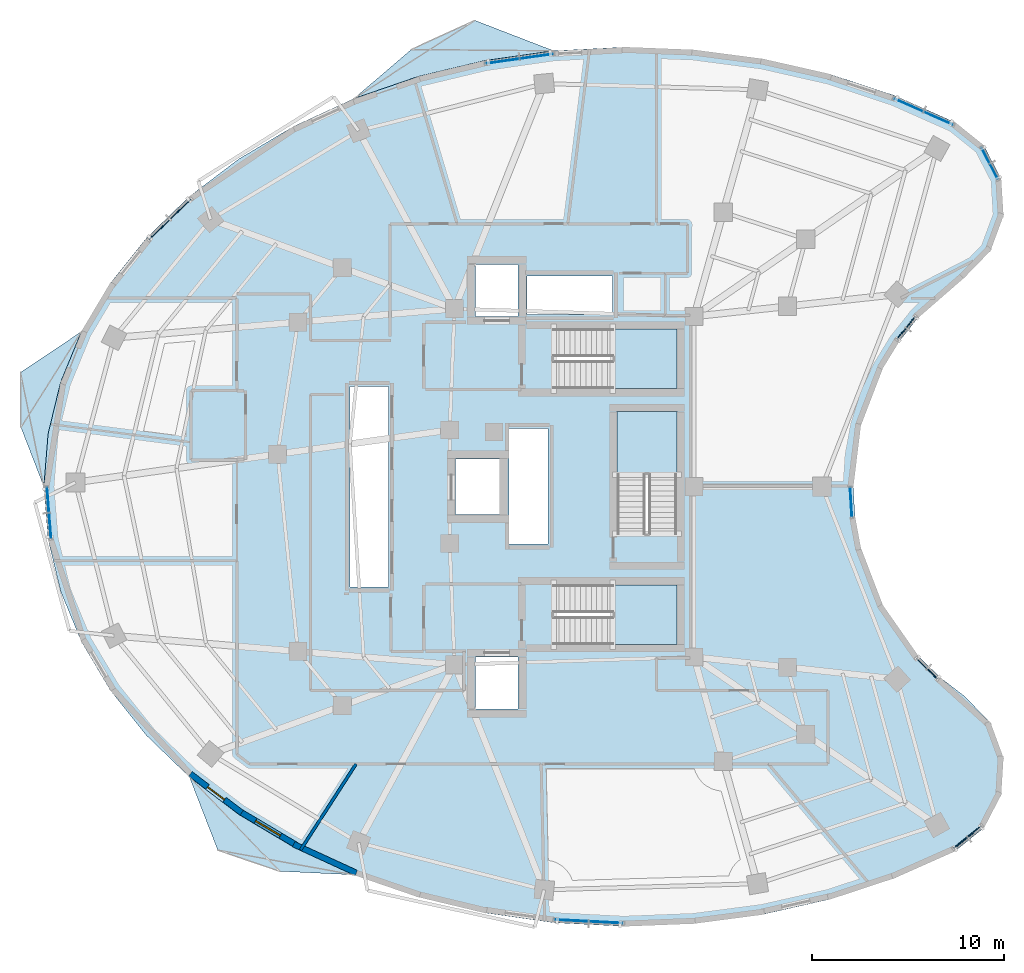
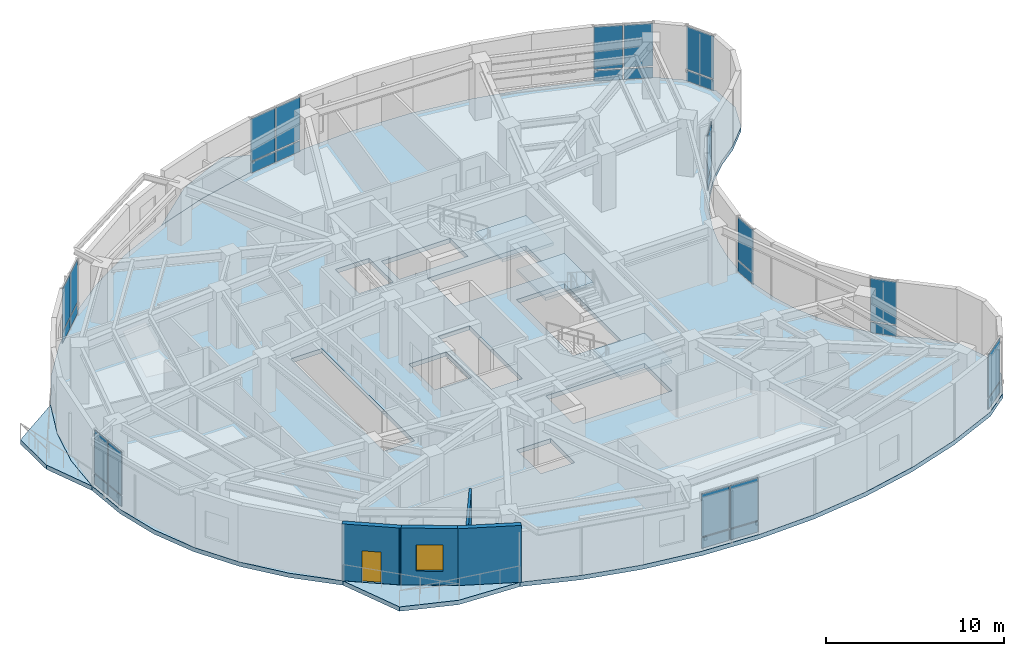
# One storey, part 7 of 15: 30 plates, 7 slabs, 4 walls, 1 door, 1 window, 2 openings, 13 elements without a shape of their own.
"""IFC4 building model written with IfcOpenShell, lengths in metres."""

from ifc_helpers import new_model, si_unit, direction, frame, frame_2d, origin, origin_2d, place, context, subcontext, project, spatial, polyline, rectangle, outline, extrude, material, layer, layer_set, type_object, element, fill, aggregate, save


model = new_model("IFC4")

# Units and contexts
model_context = context("Model", 3, precision=1e-05, world=origin(), true_north=direction((0.0, 1.0)))
body_context = subcontext(model_context, "Body", "Model", "MODEL_VIEW")
ifc_project = project(units=[si_unit("LENGTHUNIT", "METRE"), si_unit("AREAUNIT", "SQUARE_METRE"), si_unit("VOLUMEUNIT", "CUBIC_METRE"), si_unit("PLANEANGLEUNIT", "RADIAN"), si_unit("MASSUNIT", "GRAM", prefix="KILO")], contexts=[model_context])

# Site, building, storey
site_placement = place(None, origin())
site = spatial("IfcSite", under=ifc_project, at=site_placement, CompositionType="ELEMENT")
building_placement = place(site_placement, origin())
building = spatial("IfcBuilding", under=site, at=building_placement, Name="Korentha Bioscience Tower", CompositionType="ELEMENT")
storey_placement = place(building_placement, frame((0.0, 0.0, 222.60009765625)))
storey = spatial("IfcBuildingStorey", under=building, at=storey_placement, Name="L51", CompositionType="ELEMENT", Elevation=222.60009765625)

# Curtain wall, plates
ifc_material_1 = material(Name="Thermally Broken Aluminium Frame", Category="aluminium")
ifc_layer_1 = layer(ifc_material_1, 0.219970703125, Name="Thermally Broken Aluminium Frame")
ifc_layer_set_1 = layer_set([ifc_layer_1], Name="Thermally Broken Aluminium Frame (CW-T2)")
curtain_wall_type_1 = type_object("IfcCurtainWallType", Name="Solar-Screened Lab Unitised Curtain Wall CW-T2", PredefinedType="USERDEFINED", material=ifc_layer_set_1)
curtain_wall_1_placement = place(storey_placement, origin())
curtain_wall_1 = element("IfcCurtainWall", 1, at=curtain_wall_1_placement, inside=storey, type_object=curtain_wall_type_1, Name="L51 Curtain Wall 01", ObjectType="UNITISED", PredefinedType="USERDEFINED")
ifc_material_2 = material(Name="Triple-Glazed Low-E Insulated Glass", Category="glass")
ifc_layer_2 = layer(ifc_material_2, 0.0439453125, Name="Triple-Glazed Low-E Insulated Glass")
ifc_layer_set_2 = layer_set([ifc_layer_2], Name="Triple-Glazed Low-E Insulated Glass (GL-44)")
plate_type = type_object("IfcPlateType", Name="Glazed Panel 44mm", PredefinedType="CURTAIN_PANEL", material=ifc_layer_set_2)
plate_1_placement = place(storey_placement, frame((50.25537109375, 46.142822265625, 0.08984375), z_axis=(0.0, 0.0, 1.0), x_axis=(-0.913943941578, 0.405840450983, 0.0)))
plate_1 = element("IfcPlate", 2, at=plate_1_placement, type_object=plate_type, Name="CW-L51-01 Bay 1 Glazed Panel 1", PredefinedType="CURTAIN_PANEL", context=body_context, shape_type="SweptSolid", body=[
    extrude(rectangle(XDim=1.624267578125, YDim=0.0439453125, at=origin_2d()), origin(), (0.0, 0.0, 1.0), 0.715087890625),
])
plate_2_placement = place(storey_placement, frame((50.25537109375, 46.142822265625, 0.894775390625), z_axis=(0.0, 0.0, 1.0), x_axis=(-0.913943941578, 0.405840450983, 0.0)))
plate_2 = element("IfcPlate", 3, at=plate_2_placement, type_object=plate_type, Name="CW-L51-01 Bay 1 Glazed Panel 2", PredefinedType="CURTAIN_PANEL", context=body_context, shape_type="SweptSolid", body=[
    extrude(rectangle(XDim=1.624267578125, YDim=0.0439453125, at=origin_2d()), origin(), (0.0, 0.0, 1.0), 2.9150390625),
])
plate_3_placement = place(storey_placement, frame((48.688720703125, 46.838623046875, 0.08984375), z_axis=(0.0, 0.0, 1.0), x_axis=(-0.913943941578, 0.405840450983, 0.0)))
plate_3 = element("IfcPlate", 4, at=plate_3_placement, type_object=plate_type, Name="CW-L51-01 Bay 2 Glazed Panel 1", PredefinedType="CURTAIN_PANEL", context=body_context, shape_type="SweptSolid", body=[
    extrude(rectangle(XDim=1.624267578125, YDim=0.0439453125, at=origin_2d()), origin(), (0.0, 0.0, 1.0), 0.715087890625),
])
plate_4_placement = place(storey_placement, frame((48.688720703125, 46.838623046875, 0.894775390625), z_axis=(0.0, 0.0, 1.0), x_axis=(-0.913943941578, 0.405840450983, 0.0)))
plate_4 = element("IfcPlate", 5, at=plate_4_placement, type_object=plate_type, Name="CW-L51-01 Bay 2 Glazed Panel 2", PredefinedType="CURTAIN_PANEL", context=body_context, shape_type="SweptSolid", body=[
    extrude(rectangle(XDim=1.624267578125, YDim=0.0439453125, at=origin_2d()), origin(), (0.0, 0.0, 1.0), 2.9150390625),
])
aggregate(curtain_wall_1, [plate_1, plate_2, plate_3, plate_4])

curtain_wall_2_placement = place(storey_placement, origin())
curtain_wall_2 = element("IfcCurtainWall", 6, at=curtain_wall_2_placement, inside=storey, type_object=curtain_wall_type_1, Name="L51 Curtain Wall 07", ObjectType="UNITISED", PredefinedType="USERDEFINED")
plate_5_placement = place(storey_placement, frame((29.373779296875, 49.370849609375, 0.08984375), z_axis=(0.0, 0.0, 1.0), x_axis=(-0.989901889134, -0.141754188259, 0.0)))
plate_5 = element("IfcPlate", 7, at=plate_5_placement, type_object=plate_type, Name="CW-L51-07 Bay 1 Glazed Panel 1", PredefinedType="CURTAIN_PANEL", context=body_context, shape_type="SweptSolid", body=[
    extrude(rectangle(XDim=1.7158203125, YDim=0.0439453125, at=origin_2d()), origin(), (0.0, 0.0, 1.0), 0.715087890625),
])
plate_6_placement = place(storey_placement, frame((29.373779296875, 49.370849609375, 0.894775390625), z_axis=(0.0, 0.0, 1.0), x_axis=(-0.989901889134, -0.141754188259, 0.0)))
plate_6 = element("IfcPlate", 8, at=plate_6_placement, type_object=plate_type, Name="CW-L51-07 Bay 1 Glazed Panel 2", PredefinedType="CURTAIN_PANEL", context=body_context, shape_type="SweptSolid", body=[
    extrude(rectangle(XDim=1.7158203125, YDim=0.0439453125, at=origin_2d()), origin(), (0.0, 0.0, 1.0), 2.9150390625),
])
plate_7_placement = place(storey_placement, frame((27.586181640625, 49.114990234375, 0.08984375), z_axis=(0.0, 0.0, 1.0), x_axis=(-0.989901889134, -0.141754188259, 0.0)))
plate_7 = element("IfcPlate", 9, at=plate_7_placement, type_object=plate_type, Name="CW-L51-07 Bay 2 Glazed Panel 1", PredefinedType="CURTAIN_PANEL", context=body_context, shape_type="SweptSolid", body=[
    extrude(rectangle(XDim=1.7158203125, YDim=0.0439453125, at=origin_2d()), origin(), (0.0, 0.0, 1.0), 0.715087890625),
])
plate_8_placement = place(storey_placement, frame((27.586181640625, 49.114990234375, 0.894775390625), z_axis=(0.0, 0.0, 1.0), x_axis=(-0.989901889134, -0.141754188259, 0.0)))
plate_8 = element("IfcPlate", 10, at=plate_8_placement, type_object=plate_type, Name="CW-L51-07 Bay 2 Glazed Panel 2", PredefinedType="CURTAIN_PANEL", context=body_context, shape_type="SweptSolid", body=[
    extrude(rectangle(XDim=1.7158203125, YDim=0.0439453125, at=origin_2d()), origin(), (0.0, 0.0, 1.0), 2.9150390625),
])
aggregate(curtain_wall_2, [plate_5, plate_6, plate_7, plate_8])

curtain_wall_3_placement = place(storey_placement, origin())
curtain_wall_3 = element("IfcCurtainWall", 11, at=curtain_wall_3_placement, inside=storey, type_object=curtain_wall_type_1, Name="L51 Curtain Wall 13", ObjectType="UNITISED", PredefinedType="USERDEFINED")
plate_9_placement = place(storey_placement, frame((10.87158203125, 41.42919921875, 0.08984375), z_axis=(0.0, 0.0, 1.0), x_axis=(-0.719000359175, -0.695009700297, 0.0)))
plate_9 = element("IfcPlate", 12, at=plate_9_placement, type_object=plate_type, Name="CW-L51-13 Bay 1 Glazed Panel 1", PredefinedType="CURTAIN_PANEL", context=body_context, shape_type="SweptSolid", body=[
    extrude(rectangle(XDim=1.46337890625, YDim=0.0439453125, at=origin_2d()), origin(), (0.0, 0.0, 1.0), 0.715087890625),
])
plate_10_placement = place(storey_placement, frame((10.87158203125, 41.42919921875, 0.894775390625), z_axis=(0.0, 0.0, 1.0), x_axis=(-0.719000359175, -0.695009700297, 0.0)))
plate_10 = element("IfcPlate", 13, at=plate_10_placement, type_object=plate_type, Name="CW-L51-13 Bay 1 Glazed Panel 2", PredefinedType="CURTAIN_PANEL", context=body_context, shape_type="SweptSolid", body=[
    extrude(rectangle(XDim=1.46337890625, YDim=0.0439453125, at=origin_2d()), origin(), (0.0, 0.0, 1.0), 2.9150390625),
])
plate_11_placement = place(storey_placement, frame((9.754638671875, 40.349609375, 0.08984375), z_axis=(0.0, 0.0, 1.0), x_axis=(-0.719000359175, -0.695009700297, 0.0)))
plate_11 = element("IfcPlate", 14, at=plate_11_placement, type_object=plate_type, Name="CW-L51-13 Bay 2 Glazed Panel 1", PredefinedType="CURTAIN_PANEL", context=body_context, shape_type="SweptSolid", body=[
    extrude(rectangle(XDim=1.46337890625, YDim=0.0439453125, at=origin_2d()), origin(), (0.0, 0.0, 1.0), 0.715087890625),
])
plate_12_placement = place(storey_placement, frame((9.754638671875, 40.349609375, 0.894775390625), z_axis=(0.0, 0.0, 1.0), x_axis=(-0.719000359175, -0.695009700297, 0.0)))
plate_12 = element("IfcPlate", 15, at=plate_12_placement, type_object=plate_type, Name="CW-L51-13 Bay 2 Glazed Panel 2", PredefinedType="CURTAIN_PANEL", context=body_context, shape_type="SweptSolid", body=[
    extrude(rectangle(XDim=1.46337890625, YDim=0.0439453125, at=origin_2d()), origin(), (0.0, 0.0, 1.0), 2.9150390625),
])
aggregate(curtain_wall_3, [plate_9, plate_10, plate_11, plate_12])

curtain_wall_4_placement = place(storey_placement, origin())
curtain_wall_4 = element("IfcCurtainWall", 16, at=curtain_wall_4_placement, inside=storey, type_object=curtain_wall_type_1, Name="L51 Curtain Wall 19", ObjectType="UNITISED", PredefinedType="USERDEFINED")
plate_13_placement = place(storey_placement, frame((3.971435546875, 26.3251953125, 0.08984375), z_axis=(0.0, 0.0, 1.0), x_axis=(0.07974803224, -0.996815053736, 0.0)))
plate_13 = element("IfcPlate", 17, at=plate_13_placement, type_object=plate_type, Name="CW-L51-19 Bay 1 Glazed Panel 1", PredefinedType="CURTAIN_PANEL", context=body_context, shape_type="SweptSolid", body=[
    extrude(rectangle(XDim=1.279541015625, YDim=0.0439453125, at=origin_2d()), origin(), (0.0, 0.0, 1.0), 0.715087890625),
])
plate_14_placement = place(storey_placement, frame((3.971435546875, 26.3251953125, 0.894775390625), z_axis=(0.0, 0.0, 1.0), x_axis=(0.07974803224, -0.996815053736, 0.0)))
plate_14 = element("IfcPlate", 18, at=plate_14_placement, type_object=plate_type, Name="CW-L51-19 Bay 1 Glazed Panel 2", PredefinedType="CURTAIN_PANEL", context=body_context, shape_type="SweptSolid", body=[
    extrude(rectangle(XDim=1.279541015625, YDim=0.0439453125, at=origin_2d()), origin(), (0.0, 0.0, 1.0), 2.9150390625),
])
plate_15_placement = place(storey_placement, frame((4.080810546875, 24.960205078125, 0.08984375), z_axis=(0.0, 0.0, 1.0), x_axis=(0.07974803224, -0.996815053736, 0.0)))
plate_15 = element("IfcPlate", 19, at=plate_15_placement, type_object=plate_type, Name="CW-L51-19 Bay 2 Glazed Panel 1", PredefinedType="CURTAIN_PANEL", context=body_context, shape_type="SweptSolid", body=[
    extrude(rectangle(XDim=1.279541015625, YDim=0.0439453125, at=origin_2d()), origin(), (0.0, 0.0, 1.0), 0.715087890625),
])
plate_16_placement = place(storey_placement, frame((4.080810546875, 24.960205078125, 0.894775390625), z_axis=(0.0, 0.0, 1.0), x_axis=(0.07974803224, -0.996815053736, 0.0)))
plate_16 = element("IfcPlate", 20, at=plate_16_placement, type_object=plate_type, Name="CW-L51-19 Bay 2 Glazed Panel 2", PredefinedType="CURTAIN_PANEL", context=body_context, shape_type="SweptSolid", body=[
    extrude(rectangle(XDim=1.279541015625, YDim=0.0439453125, at=origin_2d()), origin(), (0.0, 0.0, 1.0), 2.9150390625),
])
aggregate(curtain_wall_4, [plate_13, plate_14, plate_15, plate_16])

curtain_wall_5_placement = place(storey_placement, origin())
curtain_wall_5 = element("IfcCurtainWall", 21, at=curtain_wall_5_placement, inside=storey, type_object=curtain_wall_type_1, Name="L51 Curtain Wall 31", ObjectType="UNITISED", PredefinedType="USERDEFINED")
plate_17_placement = place(storey_placement, frame((31.170654296875, 4.455078125, 0.08984375), z_axis=(0.0, 0.0, 1.0), x_axis=(0.998695818107, -0.051055488397, 0.0)))
plate_17 = element("IfcPlate", 22, at=plate_17_placement, type_object=plate_type, Name="CW-L51-31 Bay 1 Glazed Panel 1", PredefinedType="CURTAIN_PANEL", context=body_context, shape_type="SweptSolid", body=[
    extrude(rectangle(XDim=1.727783203125, YDim=0.0439453125, at=origin_2d()), origin(), (0.0, 0.0, 1.0), 0.715087890625),
])
plate_18_placement = place(storey_placement, frame((31.170654296875, 4.455078125, 0.894775390625), z_axis=(0.0, 0.0, 1.0), x_axis=(0.998695818107, -0.051055488397, 0.0)))
plate_18 = element("IfcPlate", 23, at=plate_18_placement, type_object=plate_type, Name="CW-L51-31 Bay 1 Glazed Panel 2", PredefinedType="CURTAIN_PANEL", context=body_context, shape_type="SweptSolid", body=[
    extrude(rectangle(XDim=1.727783203125, YDim=0.0439453125, at=origin_2d()), origin(), (0.0, 0.0, 1.0), 2.9150390625),
])
plate_19_placement = place(storey_placement, frame((32.98583984375, 4.3623046875, 0.08984375), z_axis=(0.0, 0.0, 1.0), x_axis=(0.998695818107, -0.051055488397, 0.0)))
plate_19 = element("IfcPlate", 24, at=plate_19_placement, type_object=plate_type, Name="CW-L51-31 Bay 2 Glazed Panel 1", PredefinedType="CURTAIN_PANEL", context=body_context, shape_type="SweptSolid", body=[
    extrude(rectangle(XDim=1.727783203125, YDim=0.0439453125, at=origin_2d()), origin(), (0.0, 0.0, 1.0), 0.715087890625),
])
plate_20_placement = place(storey_placement, frame((32.98583984375, 4.3623046875, 0.894775390625), z_axis=(0.0, 0.0, 1.0), x_axis=(0.998695818107, -0.051055488397, 0.0)))
plate_20 = element("IfcPlate", 25, at=plate_20_placement, type_object=plate_type, Name="CW-L51-31 Bay 2 Glazed Panel 2", PredefinedType="CURTAIN_PANEL", context=body_context, shape_type="SweptSolid", body=[
    extrude(rectangle(XDim=1.727783203125, YDim=0.0439453125, at=origin_2d()), origin(), (0.0, 0.0, 1.0), 2.9150390625),
])
aggregate(curtain_wall_5, [plate_17, plate_18, plate_19, plate_20])

curtain_wall_6_placement = place(storey_placement, origin())
curtain_wall_6 = element("IfcCurtainWall", 26, at=curtain_wall_6_placement, inside=storey, type_object=curtain_wall_type_1, Name="L51 Curtain Wall 37", ObjectType="UNITISED", PredefinedType="USERDEFINED")
plate_21_placement = place(storey_placement, frame((51.76025390625, 8.790771484375, 0.08984375), z_axis=(0.0, 0.0, 1.0), x_axis=(0.779197616162, 0.626778330008, 0.0)))
plate_21 = element("IfcPlate", 27, at=plate_21_placement, type_object=plate_type, Name="CW-L51-37 Bay 1 Glazed Panel 1", PredefinedType="CURTAIN_PANEL", context=body_context, shape_type="SweptSolid", body=[
    extrude(rectangle(XDim=1.83154296875, YDim=0.0439453125, at=origin_2d()), origin(), (0.0, 0.0, 1.0), 0.715087890625),
])
plate_22_placement = place(storey_placement, frame((51.76025390625, 8.790771484375, 0.894775390625), z_axis=(0.0, 0.0, 1.0), x_axis=(0.779197616162, 0.626778330008, 0.0)))
plate_22 = element("IfcPlate", 28, at=plate_22_placement, type_object=plate_type, Name="CW-L51-37 Bay 1 Glazed Panel 2", PredefinedType="CURTAIN_PANEL", context=body_context, shape_type="SweptSolid", body=[
    extrude(rectangle(XDim=1.83154296875, YDim=0.0439453125, at=origin_2d()), origin(), (0.0, 0.0, 1.0), 2.9150390625),
])
aggregate(curtain_wall_6, [plate_21, plate_22])

curtain_wall_7_placement = place(storey_placement, origin())
curtain_wall_7 = element("IfcCurtainWall", 29, at=curtain_wall_7_placement, inside=storey, type_object=curtain_wall_type_1, Name="L51 Curtain Wall 43", ObjectType="UNITISED", PredefinedType="USERDEFINED")
plate_23_placement = place(storey_placement, frame((49.651611328125, 17.537109375, 0.08984375), z_axis=(0.0, 0.0, 1.0), x_axis=(-0.713258270268, 0.700901305388, 0.0)))
plate_23 = element("IfcPlate", 30, at=plate_23_placement, type_object=plate_type, Name="CW-L51-43 Bay 1 Glazed Panel 1", PredefinedType="CURTAIN_PANEL", context=body_context, shape_type="SweptSolid", body=[
    extrude(rectangle(XDim=1.50341796875, YDim=0.0439453125, at=origin_2d()), origin(), (0.0, 0.0, 1.0), 0.715087890625),
])
plate_24_placement = place(storey_placement, frame((49.651611328125, 17.537109375, 0.894775390625), z_axis=(0.0, 0.0, 1.0), x_axis=(-0.713258270268, 0.700901305388, 0.0)))
plate_24 = element("IfcPlate", 31, at=plate_24_placement, type_object=plate_type, Name="CW-L51-43 Bay 1 Glazed Panel 2", PredefinedType="CURTAIN_PANEL", context=body_context, shape_type="SweptSolid", body=[
    extrude(rectangle(XDim=1.50341796875, YDim=0.0439453125, at=origin_2d()), origin(), (0.0, 0.0, 1.0), 2.9150390625),
])
aggregate(curtain_wall_7, [plate_23, plate_24])

ifc_layer_3 = layer(ifc_material_1, 0.219970703125, Name="Thermally Broken Aluminium Frame")
ifc_layer_set_3 = layer_set([ifc_layer_3], Name="Thermally Broken Aluminium Frame (CW-T1)")
curtain_wall_type_2 = type_object("IfcCurtainWallType", Name="Standard Bioscience Lab Unitised Curtain Wall CW-T1", PredefinedType="USERDEFINED", material=ifc_layer_set_3)
curtain_wall_8_placement = place(storey_placement, origin())
curtain_wall_8 = element("IfcCurtainWall", 32, at=curtain_wall_8_placement, inside=storey, type_object=curtain_wall_type_2, Name="L51 Curtain Wall 49", ObjectType="UNITISED", PredefinedType="USERDEFINED")
plate_25_placement = place(storey_placement, frame((45.708251953125, 26.190185546875, 0.08984375), z_axis=(0.0, 0.0, 1.0), x_axis=(-0.06095424178, 0.998140561449, 0.0)))
plate_25 = element("IfcPlate", 33, at=plate_25_placement, type_object=plate_type, Name="CW-L51-49 Bay 1 Glazed Panel 1", PredefinedType="CURTAIN_PANEL", context=body_context, shape_type="SweptSolid", body=[
    extrude(rectangle(XDim=1.503173828125, YDim=0.0439453125, at=origin_2d()), origin(), (0.0, 0.0, 1.0), 0.715087890625),
])
plate_26_placement = place(storey_placement, frame((45.708251953125, 26.190185546875, 0.894775390625), z_axis=(0.0, 0.0, 1.0), x_axis=(-0.06095424178, 0.998140561449, 0.0)))
plate_26 = element("IfcPlate", 34, at=plate_26_placement, type_object=plate_type, Name="CW-L51-49 Bay 1 Glazed Panel 2", PredefinedType="CURTAIN_PANEL", context=body_context, shape_type="SweptSolid", body=[
    extrude(rectangle(XDim=1.503173828125, YDim=0.0439453125, at=origin_2d()), origin(), (0.0, 0.0, 1.0), 2.9150390625),
])
aggregate(curtain_wall_8, [plate_25, plate_26])

curtain_wall_9_placement = place(storey_placement, origin())
curtain_wall_9 = element("IfcCurtainWall", 35, at=curtain_wall_9_placement, inside=storey, type_object=curtain_wall_type_1, Name="L51 Curtain Wall 55", ObjectType="UNITISED", PredefinedType="USERDEFINED")
plate_27_placement = place(storey_placement, frame((48.567626953125, 35.259033203125, 0.08984375), z_axis=(0.0, 0.0, 1.0), x_axis=(0.622511989066, 0.782610262819, 0.0)))
plate_27 = element("IfcPlate", 36, at=plate_27_placement, type_object=plate_type, Name="CW-L51-55 Bay 1 Glazed Panel 1", PredefinedType="CURTAIN_PANEL", context=body_context, shape_type="SweptSolid", body=[
    extrude(rectangle(XDim=1.50341796875, YDim=0.0439453125, at=origin_2d()), origin(), (0.0, 0.0, 1.0), 0.715087890625),
])
plate_28_placement = place(storey_placement, frame((48.567626953125, 35.259033203125, 0.894775390625), z_axis=(0.0, 0.0, 1.0), x_axis=(0.622511989066, 0.782610262819, 0.0)))
plate_28 = element("IfcPlate", 37, at=plate_28_placement, type_object=plate_type, Name="CW-L51-55 Bay 1 Glazed Panel 2", PredefinedType="CURTAIN_PANEL", context=body_context, shape_type="SweptSolid", body=[
    extrude(rectangle(XDim=1.50341796875, YDim=0.0439453125, at=origin_2d()), origin(), (0.0, 0.0, 1.0), 2.9150390625),
])
aggregate(curtain_wall_9, [plate_27, plate_28])

curtain_wall_10_placement = place(storey_placement, origin())
curtain_wall_10 = element("IfcCurtainWall", 38, at=curtain_wall_10_placement, inside=storey, type_object=curtain_wall_type_1, Name="L51 Curtain Wall 61", ObjectType="UNITISED", PredefinedType="USERDEFINED")
plate_29_placement = place(storey_placement, frame((52.914794921875, 43.79736328125, 0.08984375), z_axis=(0.0, 0.0, 1.0), x_axis=(-0.459738031963, 0.888054582763, 0.0)))
plate_29 = element("IfcPlate", 39, at=plate_29_placement, type_object=plate_type, Name="CW-L51-61 Bay 1 Glazed Panel 1", PredefinedType="CURTAIN_PANEL", context=body_context, shape_type="SweptSolid", body=[
    extrude(rectangle(XDim=1.831298828125, YDim=0.0439453125, at=origin_2d()), origin(), (0.0, 0.0, 1.0), 0.715087890625),
])
plate_30_placement = place(storey_placement, frame((52.914794921875, 43.79736328125, 0.894775390625), z_axis=(0.0, 0.0, 1.0), x_axis=(-0.459738031963, 0.888054582763, 0.0)))
plate_30 = element("IfcPlate", 40, at=plate_30_placement, type_object=plate_type, Name="CW-L51-61 Bay 1 Glazed Panel 2", PredefinedType="CURTAIN_PANEL", context=body_context, shape_type="SweptSolid", body=[
    extrude(rectangle(XDim=1.831298828125, YDim=0.0439453125, at=origin_2d()), origin(), (0.0, 0.0, 1.0), 2.9150390625),
])
aggregate(curtain_wall_10, [plate_29, plate_30])

# Slab
ifc_material_3 = material(Name="Concrete C50", Category="concrete")
ifc_layer_4 = layer(ifc_material_3, 0.300048828125, Name="Concrete C50")
ifc_layer_set_4 = layer_set([ifc_layer_4], Name="Concrete C50 (SL-L300)")
slab_type_1 = type_object("IfcSlabType", Name="Laboratory Vibration-Controlled Slab 300", PredefinedType="FLOOR", material=ifc_layer_set_4)
slab_1_placement = place(storey_placement, frame((0.0, 0.0, -0.300048828125)))
element("IfcSlab", 41, at=slab_1_placement, inside=storey, type_object=slab_type_1, Name="L51 Tower Structural Floor Slab", PredefinedType="FLOOR", context=body_context, shape_type="SweptSolid", body=[
    extrude(outline(polyline([(51.108154296875, 45.939208984375), (47.9658203125, 47.334716796875), (44.623291015625, 48.4365234375), (41.129638671875, 49.22900390625), (37.53466796875, 49.700439453125), (33.890380859375, 49.843994140625), (30.249755859375, 49.657958984375), (26.664794921875, 49.14453125), (23.187744140625, 48.3115234375), (19.86865234375, 47.1708984375), (16.75537109375, 45.73876953125), (13.892822265625, 44.0361328125), (11.322509765625, 42.087646484375), (9.081298828125, 39.921142578125), (7.201904296875, 37.568115234375), (5.711181640625, 35.0625), (4.630859375, 32.440673828125), (3.976318359375, 29.739990234375), (3.757080078125, 27.0), (3.976318359375, 24.260009765625), (4.630859375, 21.559326171875), (5.711181640625, 18.9375), (7.201904296875, 16.431884765625), (9.081298828125, 14.078857421875), (11.322509765625, 11.912353515625), (13.892822265625, 9.9638671875), (16.75537109375, 8.26123046875), (19.86865234375, 6.8291015625), (23.187744140625, 5.6884765625), (26.664794921875, 4.85546875), (30.249755859375, 4.342041015625), (33.890380859375, 4.156005859375), (37.53466796875, 4.299560546875), (41.129638671875, 4.77099609375), (44.623291015625, 5.5634765625), (47.9658203125, 6.665283203125), (51.108154296875, 8.060791015625), (52.613037109375, 9.271484375), (53.5009765625, 10.986572265625), (53.62060546875, 12.914306640625), (52.951416015625, 14.72607421875), (51.607421875, 16.11328125), (50.33544921875, 17.08935546875), (49.19189453125, 18.213134765625), (48.19384765625, 19.468017578125), (47.35595703125, 20.8349609375), (46.691162109375, 22.2939453125), (46.208984375, 23.8232421875), (45.916748046875, 25.399658203125), (45.819091796875, 27.0), (45.916748046875, 28.600341796875), (46.208984375, 30.1767578125), (46.691162109375, 31.7060546875), (47.35595703125, 33.1650390625), (48.19384765625, 34.531982421875), (49.19189453125, 35.786865234375), (50.33544921875, 36.91064453125), (51.607421875, 37.88671875), (52.951416015625, 39.27392578125), (53.62060546875, 41.085693359375), (53.5009765625, 43.013427734375), (52.613037109375, 44.728515625), (51.108154296875, 45.939208984375)]), holes=[polyline([(30.25, 32.10009765625), (36.64990234375, 32.10009765625), (36.64990234375, 35.199951171875), (30.25, 35.199951171875), (30.25, 32.10009765625)]), polyline([(30.25, 18.800048828125), (36.64990234375, 18.800048828125), (36.64990234375, 21.89990234375), (30.25, 21.89990234375), (30.25, 18.800048828125)]), polyline([(36.64990234375, 24.550048828125), (36.64990234375, 30.89990234375), (33.550048828125, 30.89990234375), (33.550048828125, 24.550048828125), (36.64990234375, 24.550048828125)]), polyline([(19.679931640625, 21.780029296875), (21.669921875, 21.780029296875), (21.669921875, 32.219970703125), (19.679931640625, 32.219970703125), (19.679931640625, 21.780029296875)]), polyline([(27.929931640625, 24.030029296875), (29.969970703125, 24.030029296875), (29.969970703125, 30.02001953125), (27.929931640625, 30.02001953125), (27.929931640625, 24.030029296875)]), polyline([(28.860107421875, 35.93994140625), (33.31005859375, 35.93994140625), (33.31005859375, 37.9599609375), (28.860107421875, 37.9599609375), (28.860107421875, 35.93994140625)]), polyline([(26.199951171875, 15.449951171875), (28.39990234375, 15.449951171875), (28.39990234375, 18.14990234375), (26.199951171875, 18.14990234375), (26.199951171875, 15.449951171875)]), polyline([(26.199951171875, 35.85009765625), (28.39990234375, 35.85009765625), (28.39990234375, 38.550048828125), (26.199951171875, 38.550048828125), (26.199951171875, 35.85009765625)]), polyline([(25.14990234375, 25.550048828125), (27.550048828125, 25.550048828125), (27.550048828125, 28.449951171875), (25.14990234375, 28.449951171875), (25.14990234375, 25.550048828125)])]), origin(), (0.0, 0.0, 1.0), 0.300048828125),
])

# Stair, slab
ifc_material_4 = material(Name="Precast Concrete C50", Category="concrete")
stair_type = type_object("IfcStairType", Name="Core Exit Dog-Leg Stair 1450", PredefinedType="HALF_TURN_STAIR", material=ifc_material_4)
stair_1_placement = place(storey_placement, origin())
stair_1 = element("IfcStair", 42, at=stair_1_placement, inside=storey, type_object=stair_type, Name="L51 Tower North Pressurized Exit Stair ST-1", PredefinedType="HALF_TURN_STAIR")
ifc_layer_5 = layer(ifc_material_3, 0.199951171875, Name="Concrete C50")
ifc_layer_set_5 = layer_set([ifc_layer_5], Name="Concrete C50 (SL-LND)")
slab_type_2 = type_object("IfcSlabType", Name="Landing Slab 200", PredefinedType="LANDING", material=ifc_layer_set_5)
slab_2_placement = place(storey_placement, frame((0.0, 0.0, 1.89990234375)))
slab_2 = element("IfcSlab", 43, at=slab_2_placement, type_object=slab_type_2, Name="ST-1 landing 1", PredefinedType="LANDING", context=body_context, shape_type="SweptSolid", body=[
    extrude(outline(polyline([(33.330078125, 32.10009765625), (36.64990234375, 32.10009765625), (36.64990234375, 35.199951171875), (33.330078125, 35.199951171875), (33.330078125, 32.10009765625)])), origin(), (0.0, 0.0, 1.0), 0.199951171875),
])
aggregate(stair_1, [slab_2])

stair_2_placement = place(storey_placement, origin())
stair_2 = element("IfcStair", 44, at=stair_2_placement, inside=storey, type_object=stair_type, Name="L51 Tower South Pressurized Exit Stair ST-2", PredefinedType="HALF_TURN_STAIR")
slab_3_placement = place(storey_placement, frame((0.0, 0.0, 1.89990234375)))
slab_3 = element("IfcSlab", 45, at=slab_3_placement, type_object=slab_type_2, Name="ST-2 landing 1", PredefinedType="LANDING", context=body_context, shape_type="SweptSolid", body=[
    extrude(outline(polyline([(33.330078125, 18.800048828125), (36.64990234375, 18.800048828125), (36.64990234375, 21.89990234375), (33.330078125, 21.89990234375), (33.330078125, 18.800048828125)])), origin(), (0.0, 0.0, 1.0), 0.199951171875),
])
aggregate(stair_2, [slab_3])

stair_3_placement = place(storey_placement, origin())
stair_3 = element("IfcStair", 46, at=stair_3_placement, inside=storey, type_object=stair_type, Name="L51 Tower Central Pressurized Exit Stair ST-3", PredefinedType="HALF_TURN_STAIR")
slab_4_placement = place(storey_placement, frame((0.0, 0.0, 1.89990234375)))
slab_4 = element("IfcSlab", 47, at=slab_4_placement, type_object=slab_type_2, Name="ST-3 landing 1", PredefinedType="LANDING", context=body_context, shape_type="SweptSolid", body=[
    extrude(outline(polyline([(36.64990234375, 27.6298828125), (36.64990234375, 30.89990234375), (33.550048828125, 30.89990234375), (33.550048828125, 27.6298828125), (36.64990234375, 27.6298828125)])), origin(), (0.0, 0.0, 1.0), 0.199951171875),
])
aggregate(stair_3, [slab_4])

# Slabs
ifc_layer_6 = layer(ifc_material_3, 0.300048828125, Name="Concrete C50")
ifc_layer_set_6 = layer_set([ifc_layer_6], Name="Concrete C50 (BS-240)")
slab_type_3 = type_object("IfcSlabType", Name="Sawtooth Sun-Ledge Balcony Slab 240", PredefinedType="USERDEFINED", material=ifc_layer_set_6)
slab_5_placement = place(storey_placement, frame((0.0, 0.0, -0.300048828125)))
element("IfcSlab", 48, at=slab_5_placement, inside=storey, type_object=slab_type_3, Name="L51 Sun-Ledge Balcony 01", ObjectType="BALCONY", PredefinedType="USERDEFINED", context=body_context, shape_type="SweptSolid", body=[
    extrude(outline(polyline([(19.86865234375, 47.1708984375), (23.187744140625, 48.3115234375), (26.664794921875, 49.14453125), (30.249755859375, 49.657958984375), (26.163818359375, 51.2353515625), (22.85009765625, 49.7216796875), (19.86865234375, 47.1708984375)])), origin(), (0.0, 0.0, 1.0), 0.300048828125),
])
slab_6_placement = place(storey_placement, frame((0.0, 0.0, -0.300048828125)))
element("IfcSlab", 49, at=slab_6_placement, inside=storey, type_object=slab_type_3, Name="L51 Sun-Ledge Balcony 02", ObjectType="BALCONY", PredefinedType="USERDEFINED", context=body_context, shape_type="SweptSolid", body=[
    extrude(outline(polyline([(3.757080078125, 27.0), (3.976318359375, 29.739990234375), (4.630859375, 32.440673828125), (5.711181640625, 35.0625), (2.541259765625, 32.947021484375), (2.56689453125, 30.081787109375), (3.757080078125, 27.0)])), origin(), (0.0, 0.0, 1.0), 0.300048828125),
])
slab_7_placement = place(storey_placement, frame((0.0, 0.0, -0.300048828125)))
element("IfcSlab", 50, at=slab_7_placement, inside=storey, type_object=slab_type_3, Name="L51 Sun-Ledge Balcony 03", ObjectType="BALCONY", PredefinedType="USERDEFINED", context=body_context, shape_type="SweptSolid", body=[
    extrude(outline(polyline([(19.86865234375, 6.8291015625), (16.75537109375, 8.26123046875), (13.892822265625, 9.9638671875), (11.322509765625, 11.912353515625), (12.793701171875, 8.115966796875), (16.01416015625, 7.01513671875), (19.86865234375, 6.8291015625)])), origin(), (0.0, 0.0, 1.0), 0.300048828125),
])

# Wall
ifc_material_5 = material(Name="Double-Stud Acoustic Gypsum", Category="gypsum")
ifc_layer_7 = layer(ifc_material_5, 0.14990234375, Name="Double-Stud Acoustic Gypsum")
ifc_layer_set_7 = layer_set([ifc_layer_7], Name="Double-Stud Acoustic Gypsum (IW-L150)")
wall_type_1 = type_object("IfcWallType", Name="Acoustic Laboratory Partition Wall 150", PredefinedType="PARTITIONING", material=ifc_layer_set_7)
wall_1_placement = place(storey_placement, frame((19.98095703125, 12.590087890625, 0.0), z_axis=(0.0, 0.0, 1.0), x_axis=(-0.542120587928, -0.840300701026, 0.0)))
element("IfcWall", 51, at=wall_1_placement, inside=storey, type_object=wall_type_1, Name="L51 Interior Partition 031", PredefinedType="PARTITIONING", context=body_context, shape_type="SweptSolid", body=[
    extrude(rectangle(XDim=5.311279296875, YDim=0.14990234375, at=frame_2d((2.65576171875, 0.0))), origin(), (0.0, 0.0, 1.0), 2.909912109375),
])

# Wall, opening, door
ifc_material_6 = material(Name="Honed Limestone Precast Concrete C40", Category="masonry")
ifc_layer_8 = layer(ifc_material_6, 0.300048828125, Name="Honed Limestone Precast Concrete C40")
ifc_layer_set_8 = layer_set([ifc_layer_8], Name="Honed Limestone Precast Concrete C40 (EW-ST300)")
wall_type_2 = type_object("IfcWallType", Name="Honed Limestone Cavity Spandrel Wall 300", PredefinedType="STANDARD", material=ifc_layer_set_8)
wall_2_placement = place(storey_placement, frame((11.371337890625, 12.076171875, 0.0), z_axis=(0.0, 0.0, 1.0), x_axis=(0.796906901107, -0.604102136205, 0.0)))
wall_2 = element("IfcWall", 52, at=wall_2_placement, inside=storey, type_object=wall_type_2, Name="L51 Balcony Threshold Wall 03", PredefinedType="STANDARD", context=body_context, shape_type="SweptSolid", body=[
    extrude(rectangle(XDim=3.345458984375, YDim=0.300048828125, at=frame_2d((1.6728515625, 0.0))), origin(), (0.0, 0.0, 1.0), 3.89990234375),
])
opening_1_placement = place(wall_2_placement, frame((1.122802734375, 0.0, 0.0)))
opening_1 = element("IfcOpeningElement", 53, at=opening_1_placement, cuts=wall_2, Name="Opening BD-11L", PredefinedType="OPENING", context=body_context, shape_type="SweptSolid", body=[
    extrude(rectangle(XDim=1.10009765625, YDim=2.14990234375, at=frame_2d((0.550048828125, 1.074951171875))), frame((0.0, 0.1650390625, 0.0), z_axis=(0.0, -1.0, 0.0), x_axis=(1.0, 0.0, 0.0)), (0.0, 0.0, 1.0), 0.329833984375),
])
ifc_material_7 = material(Name="Thermally Broken Glazed Aluminium", Category="aluminium")
door_type = type_object("IfcDoorType", Name="Balcony Terrace Glazed Door 1100x2150 Left", OperationType="SINGLE_SWING_LEFT", PredefinedType="DOOR", material=ifc_material_7)
door_placement = place(opening_1_placement, origin())
door = element("IfcDoor", 54, at=door_placement, inside=storey, type_object=door_type, Name="L51 Balcony Access Door 03", OperationType="SINGLE_SWING_LEFT", OverallHeight=2.14990234375, OverallWidth=1.10009765625, PredefinedType="DOOR", context=body_context, shape_type="SweptSolid", body=[
    extrude(rectangle(XDim=1.10009765625, YDim=2.14990234375, at=frame_2d((0.550048828125, 1.074951171875))), frame((0.0, 0.02490234375, 0.0), z_axis=(0.0, -1.0, 0.0), x_axis=(1.0, 0.0, 0.0)), (0.0, 0.0, 1.0), 0.050048828125),
])
fill(opening_1, door)

# Wall, opening, window
wall_3_placement = place(storey_placement, frame((13.923095703125, 10.132080078125, 0.0), z_axis=(0.0, 0.0, 1.0), x_axis=(0.859459434124, -0.511203952543, 0.0)))
wall_3 = element("IfcWall", 55, at=wall_3_placement, inside=storey, type_object=wall_type_2, Name="L51 Honed Limestone Spandrel Wall 26", PredefinedType="STANDARD", context=body_context, shape_type="SweptSolid", body=[
    extrude(rectangle(XDim=3.450439453125, YDim=0.300048828125, at=frame_2d((1.72509765625, 0.0))), origin(), (0.0, 0.0, 1.0), 3.89990234375),
])
opening_2_placement = place(wall_3_placement, frame((0.97509765625, 0.0, 0.949951171875)))
opening_2 = element("IfcOpeningElement", 56, at=opening_2_placement, cuts=wall_3, Name="Opening WN-02", PredefinedType="OPENING", context=body_context, shape_type="SweptSolid", body=[
    extrude(rectangle(XDim=1.5, YDim=1.800048828125, at=frame_2d((0.75, 0.89990234375))), frame((0.0, 0.1650390625, 0.0), z_axis=(0.0, -1.0, 0.0), x_axis=(1.0, 0.0, 0.0)), (0.0, 0.0, 1.0), 0.329833984375),
])
ifc_material_8 = material(Name="Thermally Broken Aluminium Triple Glazing", Category="aluminium")
window_type = type_object("IfcWindowType", Name="Acoustic Operable Office Window 1500x1800", PartitioningType="DOUBLE_PANEL_VERTICAL", PredefinedType="WINDOW", material=ifc_material_8)
window_placement = place(opening_2_placement, origin())
window = element("IfcWindow", 57, at=window_placement, inside=storey, type_object=window_type, Name="L51 Facade Window 26", OverallHeight=1.800048828125, OverallWidth=1.5, PartitioningType="DOUBLE_PANEL_VERTICAL", PredefinedType="WINDOW", context=body_context, shape_type="SweptSolid", body=[
    extrude(rectangle(XDim=1.5, YDim=1.800048828125, at=frame_2d((0.75, 0.89990234375))), frame((0.0, 0.030029296875, 0.0), z_axis=(0.0, -1.0, 0.0), x_axis=(1.0, 0.0, 0.0)), (0.0, 0.0, 1.0), 0.06005859375),
])
fill(opening_2, window)

# Wall
wall_4_placement = place(storey_placement, frame((16.7412109375, 8.421875, 0.0), z_axis=(0.0, 0.0, 1.0), x_axis=(0.908506474671, -0.417870776055, 0.0)))
element("IfcWall", 58, at=wall_4_placement, inside=storey, type_object=wall_type_2, Name="L51 Limestone Perimeter Closure Wall 27", PredefinedType="STANDARD", context=body_context, shape_type="SweptSolid", body=[
    extrude(rectangle(XDim=3.586669921875, YDim=0.300048828125, at=frame_2d((1.79345703125, 0.0))), origin(), (0.0, 0.0, 1.0), 3.89990234375),
])

save(model, "model.ifc")
